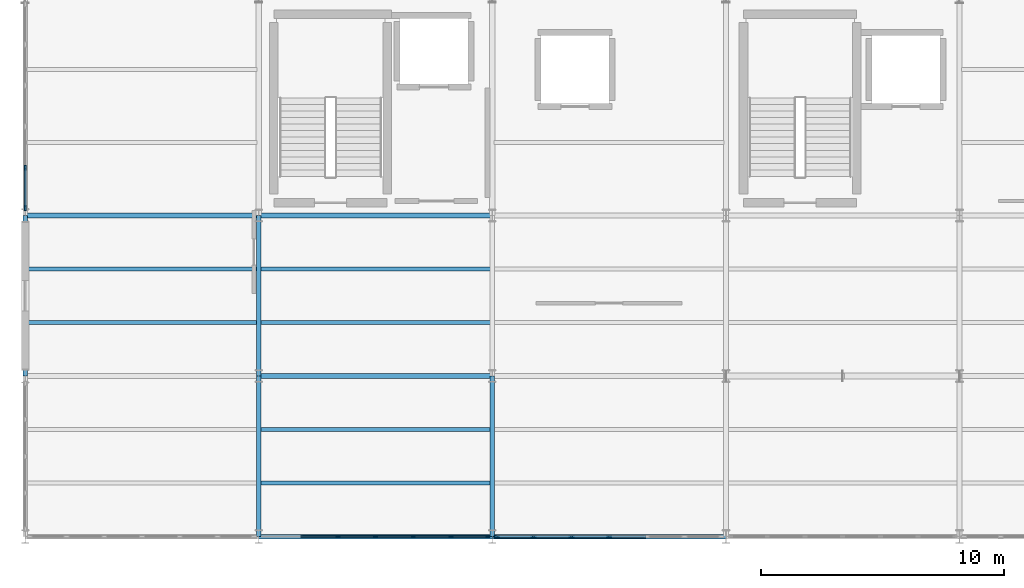
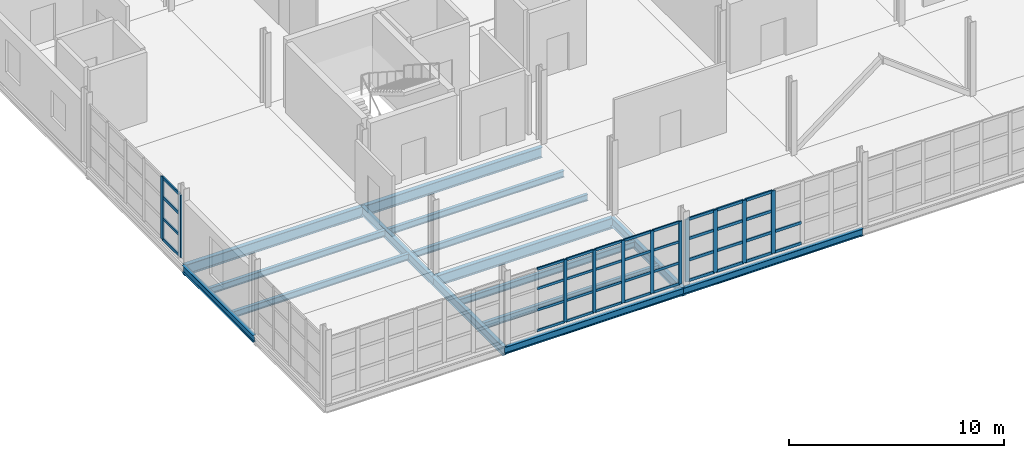
# One storey, part 13 of 82: 49 members, 15 beams, 3 elements without a shape of their own.
"""IFC4 building model written with IfcOpenShell, lengths in metres."""

import ifcopenshell
import ifcopenshell.guid

model = None  # the IFC model being written
_history = None  # IfcOwnerHistory: only IFC2X3 demands one
_inside = {}  # id of a spatial element -> (the spatial element, [elements in it])
_under = {}  # id of a project, library or spatial element -> (it, [spatial elements below it])
_declared = {}  # id of a project -> (the project, [libraries it declares])
_typed = {}  # id of a type object -> (the type object, [elements of that type])
_made_of = {}  # id of a material, layer set ... -> (it, [elements and type objects made of it])


def new_model(schema):
    """Start an empty IFC model of exactly this schema.

    Asked for "IFC4X3", IfcOpenShell would pick the latest addendum, in which some entities
    have other attributes; the version numbers below select the first issue.
    IFC2X3 requires an IfcOwnerHistory on every rooted entity: one is made here for all.
    """
    global model, _history
    if schema == "IFC4X3":
        model = ifcopenshell.file(schema_version=(4, 3, 0, 0))
    else:
        model = ifcopenshell.file(schema=schema)
    _inside.clear()
    _under.clear()
    _declared.clear()
    _typed.clear()
    _made_of.clear()
    _history = None
    if model.schema == "IFC2X3":
        org = make("IfcOrganization", Name="unknown")
        user = make(
            "IfcPersonAndOrganization",
            ThePerson=make("IfcPerson", FamilyName="unknown"),
            TheOrganization=org,
        )
        app = make(
            "IfcApplication",
            ApplicationDeveloper=org,
            Version="unknown",
            ApplicationFullName="unknown",
            ApplicationIdentifier="unknown",
        )
        _history = make(
            "IfcOwnerHistory",
            OwningUser=user,
            OwningApplication=app,
            ChangeAction="ADDED",
            CreationDate=0,
        )
    return model


def make(cls, **values):
    """One entity of the class cls with the attributes given. An attribute that is None is left unset."""
    return model.create_entity(
        cls, **{name: value for name, value in values.items() if value is not None}
    )


def rooted(cls, **values):
    """An entity with a GlobalId (a new one), such as an element, a storey or a relation."""
    return make(cls, GlobalId=ifcopenshell.guid.new(), OwnerHistory=_history, **values)


def si_unit(unit_type, name, prefix=None):
    """IfcSIUnit, for example si_unit("LENGTHUNIT", "METRE", prefix="MILLI")."""
    return make("IfcSIUnit", UnitType=unit_type, Prefix=prefix, Name=name)


def assignment(units):
    """IfcUnitAssignment: the units of a project."""
    return None if units is None else make("IfcUnitAssignment", Units=units)


def point(xyz):
    """IfcCartesianPoint."""
    return None if xyz is None else make("IfcCartesianPoint", Coordinates=xyz)


def direction(xyz):
    """IfcDirection."""
    return None if xyz is None else make("IfcDirection", DirectionRatios=xyz)


def frame(location, z_axis=None, x_axis=None):
    """IfcAxis2Placement3D, a coordinate frame: its origin and axes. An axis left out is left unset."""
    return make(
        "IfcAxis2Placement3D",
        Location=point(location),
        Axis=direction(z_axis),
        RefDirection=direction(x_axis),
    )


def frame_2d(location, x_axis=None):
    """IfcAxis2Placement2D, a coordinate frame in the plane: its origin and x axis."""
    return make(
        "IfcAxis2Placement2D", Location=point(location), RefDirection=direction(x_axis)
    )


def origin():
    """The frame at (0, 0, 0) with its axes left unset."""
    return frame((0.0, 0.0, 0.0))


def origin_2d():
    """The frame at (0, 0) in the plane with its x axis left unset."""
    return frame_2d((0.0, 0.0))


def place(relative_to, where):
    """IfcLocalPlacement: puts the frame where relative to a parent placement (None: the world)."""
    return make(
        "IfcLocalPlacement", PlacementRelTo=relative_to, RelativePlacement=where
    )


def context(
    kind, dimensions, precision=None, world=None, true_north=None, identifier=None
):
    """IfcGeometricRepresentationContext, for example the 3D "Model" context."""
    return make(
        "IfcGeometricRepresentationContext",
        ContextIdentifier=identifier,
        ContextType=kind,
        CoordinateSpaceDimension=dimensions,
        Precision=precision,
        WorldCoordinateSystem=world,
        TrueNorth=true_north,
    )


def subcontext(parent, identifier, kind, view, scale=None):
    """IfcGeometricRepresentationSubContext, for example "Body" below "Model"."""
    return make(
        "IfcGeometricRepresentationSubContext",
        ContextIdentifier=identifier,
        ContextType=kind,
        ParentContext=parent,
        TargetScale=scale,
        TargetView=view,
    )


def project(units=None, contexts=None):
    """IfcProject with its units and contexts."""
    return rooted(
        "IfcProject",
        Name="project",
        RepresentationContexts=contexts,
        UnitsInContext=assignment(units),
    )


def spatial(cls, under=None, at=None, **own):
    """A site, building, storey or space (cls), placed at a placement, below another one or the project."""
    s = rooted(cls, ObjectPlacement=at, **own)
    if under is not None:
        _under.setdefault(under.id(), (under, []))[1].append(s)
    return s


def profile(cls, at=None, kind="AREA", **sizes):
    """A parametric profile (cls). Its sizes go by their IFC names, for example OverallWidth=200.0."""
    return make(cls, ProfileType=kind, Position=at, **sizes)


def rectangle(**sizes):
    """IfcRectangleProfileDef."""
    return profile("IfcRectangleProfileDef", **sizes)


def i_section(**sizes):
    """IfcIShapeProfileDef."""
    return profile("IfcIShapeProfileDef", **sizes)


def extrude(swept, where, along, depth):
    """IfcExtrudedAreaSolid: the profile swept, set in the frame where, extruded along a direction by depth."""
    return make(
        "IfcExtrudedAreaSolid",
        SweptArea=swept,
        Position=where,
        ExtrudedDirection=direction(along),
        Depth=depth,
    )


def shape(context_of_items, identifier, shape_type, items):
    """IfcShapeRepresentation: the items that make up one representation, for example the "Body"."""
    return make(
        "IfcShapeRepresentation",
        ContextOfItems=context_of_items,
        RepresentationIdentifier=identifier,
        RepresentationType=shape_type,
        Items=items,
    )


def material(Name=None, Category=None):
    """IfcMaterial."""
    return make("IfcMaterial", Name=Name, Category=Category)


def layer(
    of_material, thickness, ventilated=None, Name=None, Category=None, Priority=None
):
    """IfcMaterialLayer: one layer of a wall or slab, of a material (None: an air gap)."""
    return make(
        "IfcMaterialLayer",
        Material=of_material,
        LayerThickness=thickness,
        IsVentilated=ventilated,
        Name=Name,
        Category=Category,
        Priority=Priority,
    )


def layer_set(layers, Name=None):
    """IfcMaterialLayerSet."""
    return make("IfcMaterialLayerSet", MaterialLayers=layers, LayerSetName=Name)


def material_profile(
    of_material, cross_section, Name=None, Category=None, Priority=None
):
    """IfcMaterialProfile: a cross section and its material."""
    return make(
        "IfcMaterialProfile",
        Name=Name,
        Material=of_material,
        Profile=cross_section,
        Priority=Priority,
        Category=Category,
    )


def profile_set(profiles, Name=None, composite=None):
    """IfcMaterialProfileSet."""
    return make(
        "IfcMaterialProfileSet",
        Name=Name,
        MaterialProfiles=profiles,
        CompositeProfile=composite,
    )


def made_of(thing, what):
    """Note that an element or type object is made of a material, layer set ...; save() writes the relation."""
    if what is not None:
        _made_of.setdefault(what.id(), (what, []))[1].append(thing)
    return thing


def type_object(cls, material=None, **own):
    """A type object (cls), such as IfcWallType, which elements share."""
    return made_of(rooted(cls, **own), material)


def element(
    cls,
    number,
    at=None,
    inside=None,
    cuts=None,
    type_object=None,
    material=None,
    context=None,
    identifier="Body",
    shape_type=None,
    held_by="IfcProductDefinitionShape",
    body=None,
    shapes=None,
    **own,
):
    """One element of the class cls, such as IfcWall. Its Tag is "e" and its number.

    at: its placement. inside: the storey or other place that contains it. cuts: it is an
    opening in that element (IfcRelVoidsElement). A single representation is given by context,
    identifier, shape_type and body (its items); several are given by shapes. held_by: the class
    of the entity that holds the representations. save() writes the other relations.
    """
    e = rooted(cls, Tag="e%d" % number, ObjectPlacement=at, **own)
    if body is not None:
        shapes = [shape(context, identifier, shape_type, body)]
    if shapes is not None:
        e.Representation = make(held_by, Representations=shapes)
    if inside is not None:
        _inside.setdefault(inside.id(), (inside, []))[1].append(e)
    if cuts is not None:
        rooted(
            "IfcRelVoidsElement", RelatingBuildingElement=cuts, RelatedOpeningElement=e
        )
    if type_object is not None:
        _typed.setdefault(type_object.id(), (type_object, []))[1].append(e)
    return made_of(e, material)


def aggregate(whole, parts):
    """IfcRelAggregates: a whole, such as a stair, and the parts it consists of."""
    return rooted("IfcRelAggregates", RelatingObject=whole, RelatedObjects=parts)


def save(model, path):
    """Write the relations noted so far, then the file.

    IfcRelAggregates (storeys below a building ...), IfcRelContainedInSpatialStructure (elements
    in a storey), IfcRelDefinesByType, IfcRelAssociatesMaterial and IfcRelDeclares: one each for
    every whole, place, type object, material and project.
    """
    for whole, parts in _under.values():
        aggregate(whole, parts)
    for where, things in _inside.values():
        rooted(
            "IfcRelContainedInSpatialStructure",
            RelatedElements=things,
            RelatingStructure=where,
        )
    for kind, things in _typed.values():
        rooted("IfcRelDefinesByType", RelatedObjects=things, RelatingType=kind)
    for what, things in _made_of.values():
        rooted("IfcRelAssociatesMaterial", RelatedObjects=things, RelatingMaterial=what)
    for by, libraries in _declared.values():
        rooted("IfcRelDeclares", RelatingContext=by, RelatedDefinitions=libraries)
    model.write(path)


model = new_model("IFC4")

# Units and contexts
model_context = context("Model", 3, precision=1e-05, world=origin(), true_north=direction((0.0, 1.0)))
body_context = subcontext(model_context, "Body", "Model", "MODEL_VIEW")
ifc_project = project(units=[si_unit("LENGTHUNIT", "METRE"), si_unit("AREAUNIT", "SQUARE_METRE"), si_unit("VOLUMEUNIT", "CUBIC_METRE"), si_unit("PLANEANGLEUNIT", "RADIAN"), si_unit("MASSUNIT", "GRAM", prefix="KILO")], contexts=[model_context])

# Site, building, storey
site_placement = place(None, origin())
site = spatial("IfcSite", under=ifc_project, at=site_placement, CompositionType="ELEMENT")
building_placement = place(site_placement, origin())
building = spatial("IfcBuilding", under=site, at=building_placement, Name="Zarnetskaya Central Station", CompositionType="ELEMENT")
storey_placement = place(building_placement, frame((0.0, 0.0, 10.199951171875)))
storey = spatial("IfcBuildingStorey", under=building, at=storey_placement, Name="L02", CompositionType="ELEMENT", Elevation=10.199951171875)

# Beams
ifc_material_1 = material(Name="Steel S355", Category="steel")
ifc_material_profile_1 = material_profile(ifc_material_1, i_section(OverallWidth=0.169921875, OverallDepth=0.360107421875, WebThickness=0.008056640625, FlangeThickness=0.0126953125, FilletRadius=0.01806640625, at=origin_2d()), Name="IPE 360")
ifc_profile_set_1 = profile_set([ifc_material_profile_1], Name="Steel S355")
beam_type_1 = type_object("IfcBeamType", Name="BM-SEC-360", PredefinedType="BEAM", material=ifc_profile_set_1)
for number, where, z_axis, x_axis, name in (
    (1, (0.080078125, 8.800048828125, -0.43994140625), (1.0, 0.0, 0.0), (0.0, 1.0, 0.0), "Secondary floor beam SEC-L02-Z994-AB-23-1"),
    (2, (0.080078125, 11.0, -0.43994140625), (1.0, 0.0, 0.0), (0.0, 1.0, 0.0), "Secondary floor beam SEC-L02-Z994-AB-23-2"),
):
    element("IfcBeam", number, at=place(storey_placement, frame(where, z_axis=z_axis, x_axis=x_axis)), inside=storey, type_object=beam_type_1, Name=name, PredefinedType="BEAM", context=body_context, shape_type="SweptSolid", body=[
        extrude(i_section(OverallWidth=0.169921875, OverallDepth=0.360107421875, WebThickness=0.008056640625, FlangeThickness=0.0126953125, FilletRadius=0.01806640625, at=origin_2d()), origin(), (0.0, 0.0, 1.0), 9.43994140625),
    ])
for number, where, z_axis, x_axis, name in (
    (3, (9.679931640625, 2.199951171875, -0.43994140625), (1.0, 0.0, 0.0), (0.0, 1.0, 0.0), "Secondary floor beam SEC-L02-Z994-BC-12-1"),
    (4, (9.679931640625, 4.39990234375, -0.43994140625), (1.0, 0.0, 0.0), (0.0, 1.0, 0.0), "Secondary floor beam SEC-L02-Z994-BC-12-2"),
    (5, (9.679931640625, 8.800048828125, -0.43994140625), (1.0, 0.0, 0.0), (0.0, 1.0, 0.0), "Secondary floor beam SEC-L02-Z994-BC-23-1"),
    (6, (9.679931640625, 11.0, -0.43994140625), (1.0, 0.0, 0.0), (0.0, 1.0, 0.0), "Secondary floor beam SEC-L02-Z994-BC-23-2"),
):
    element("IfcBeam", number, at=place(storey_placement, frame(where, z_axis=z_axis, x_axis=x_axis)), inside=storey, type_object=beam_type_1, Name=name, PredefinedType="BEAM", context=body_context, shape_type="SweptSolid", body=[
        extrude(i_section(OverallWidth=0.169921875, OverallDepth=0.360107421875, WebThickness=0.008056640625, FlangeThickness=0.0126953125, FilletRadius=0.01806640625, at=origin_2d()), origin(), (0.0, 0.0, 1.0), 9.440185546875),
    ])
ifc_material_profile_2 = material_profile(ifc_material_1, i_section(OverallWidth=0.179931640625, OverallDepth=0.39990234375, WebThickness=0.008544921875, FlangeThickness=0.013427734375, FilletRadius=0.02099609375, at=origin_2d()), Name="IPE 400")
ifc_profile_set_2 = profile_set([ifc_material_profile_2], Name="Steel S355")
beam_type_2 = type_object("IfcBeamType", Name="BM-SPN-V5", PredefinedType="SPANDREL", material=ifc_profile_set_2)
beam_1_placement = place(storey_placement, frame((0.0, 6.60009765625, -0.4599609375), z_axis=(0.0, 1.0, 0.0), x_axis=(-1.0, 0.0, 0.0)))
element("IfcBeam", 7, at=beam_1_placement, inside=storey, type_object=beam_type_2, Name="Grid girder GY-L02-A-23", PredefinedType="SPANDREL", context=body_context, shape_type="SweptSolid", body=[
    extrude(i_section(OverallWidth=0.179931640625, OverallDepth=0.39990234375, WebThickness=0.008544921875, FlangeThickness=0.013427734375, FilletRadius=0.02099609375, at=origin_2d()), origin(), (0.0, 0.0, 1.0), 6.599853515625),
])
beam_2_placement = place(storey_placement, frame((9.60009765625, 0.0, -0.4599609375), z_axis=(1.0, 0.0, 0.0), x_axis=(0.0, 1.0, 0.0)))
element("IfcBeam", 8, at=beam_2_placement, inside=storey, type_object=beam_type_2, Name="Grid girder GX-L02-1-BC", PredefinedType="SPANDREL", context=body_context, shape_type="SweptSolid", body=[
    extrude(i_section(OverallWidth=0.179931640625, OverallDepth=0.39990234375, WebThickness=0.008544921875, FlangeThickness=0.013427734375, FilletRadius=0.02099609375, at=origin_2d()), origin(), (0.0, 0.0, 1.0), 9.599853515625),
])
beam_3_placement = place(storey_placement, frame((19.199951171875, 0.0, -0.4599609375), z_axis=(1.0, 0.0, 0.0), x_axis=(0.0, 1.0, 0.0)))
element("IfcBeam", 9, at=beam_3_placement, inside=storey, type_object=beam_type_2, Name="Grid girder GX-L02-1-CD", PredefinedType="SPANDREL", context=body_context, shape_type="SweptSolid", body=[
    extrude(i_section(OverallWidth=0.179931640625, OverallDepth=0.39990234375, WebThickness=0.008544921875, FlangeThickness=0.013427734375, FilletRadius=0.02099609375, at=origin_2d()), origin(), (0.0, 0.0, 1.0), 9.60009765625),
])

# Curtain wall, members
ifc_material_2 = material(Name="Low-E insulated glass", Category="glass")
ifc_layer_1 = layer(ifc_material_2, 0.1640625, Name="Low-E insulated glass", Category="glass")
ifc_layer_set_1 = layer_set([ifc_layer_1], Name="Low-E insulated glass")
curtain_wall_type_1 = type_object("IfcCurtainWallType", Name="CW-SYS-07", PredefinedType="USERDEFINED", material=ifc_layer_set_1)
curtain_wall_1_placement = place(storey_placement, origin())
curtain_wall_1 = element("IfcCurtainWall", 10, at=curtain_wall_1_placement, inside=storey, type_object=curtain_wall_type_1, Name="Curtain wall CW-L02-029", ObjectType="CURTAIN WALL", PredefinedType="USERDEFINED")
ifc_material_3 = material(Name="Anodised aluminium", Category="aluminium")
ifc_material_profile_3 = material_profile(ifc_material_3, rectangle(XDim=0.070068359375, YDim=0.179931640625, at=origin_2d()), Name="ALU MULL 70x180")
ifc_profile_set_3 = profile_set([ifc_material_profile_3], Name="Anodised aluminium")
member_type_1 = type_object("IfcMemberType", Name="CW-MULL-180", PredefinedType="MULLION", material=ifc_profile_set_3)
member_1_placement = place(storey_placement, frame((19.014892578125, 0.0, 0.0), z_axis=(0.0, 0.0, 1.0), x_axis=(0.0, -1.0, 0.0)))
member_1 = element("IfcMember", 11, at=member_1_placement, type_object=member_type_1, Name="CW-06 mullion 1", PredefinedType="MULLION", context=body_context, shape_type="SweptSolid", body=[
    extrude(rectangle(XDim=0.070068359375, YDim=0.179931640625, at=origin_2d()), origin(), (0.0, 0.0, 1.0), 3.550048828125),
])
member_2_placement = place(storey_placement, frame((17.5, 0.0, 0.0), z_axis=(0.0, 0.0, 1.0), x_axis=(0.0, -1.0, 0.0)))
member_2 = element("IfcMember", 12, at=member_2_placement, type_object=member_type_1, Name="CW-06 mullion 2", PredefinedType="MULLION", context=body_context, shape_type="SweptSolid", body=[
    extrude(rectangle(XDim=0.070068359375, YDim=0.179931640625, at=origin_2d()), origin(), (0.0, 0.0, 1.0), 3.550048828125),
])
member_3_placement = place(storey_placement, frame((15.949951171875, 0.0, 0.0), z_axis=(0.0, 0.0, 1.0), x_axis=(0.0, -1.0, 0.0)))
member_3 = element("IfcMember", 13, at=member_3_placement, type_object=member_type_1, Name="CW-06 mullion 3", PredefinedType="MULLION", context=body_context, shape_type="SweptSolid", body=[
    extrude(rectangle(XDim=0.070068359375, YDim=0.179931640625, at=origin_2d()), origin(), (0.0, 0.0, 1.0), 3.550048828125),
])
member_4_placement = place(storey_placement, frame((14.39990234375, 0.0, 0.0), z_axis=(0.0, 0.0, 1.0), x_axis=(0.0, -1.0, 0.0)))
member_4 = element("IfcMember", 14, at=member_4_placement, type_object=member_type_1, Name="CW-06 mullion 4", PredefinedType="MULLION", context=body_context, shape_type="SweptSolid", body=[
    extrude(rectangle(XDim=0.070068359375, YDim=0.179931640625, at=origin_2d()), origin(), (0.0, 0.0, 1.0), 3.550048828125),
])
member_5_placement = place(storey_placement, frame((12.85009765625, 0.0, 0.0), z_axis=(0.0, 0.0, 1.0), x_axis=(0.0, -1.0, 0.0)))
member_5 = element("IfcMember", 15, at=member_5_placement, type_object=member_type_1, Name="CW-06 mullion 5", PredefinedType="MULLION", context=body_context, shape_type="SweptSolid", body=[
    extrude(rectangle(XDim=0.070068359375, YDim=0.179931640625, at=origin_2d()), origin(), (0.0, 0.0, 1.0), 3.550048828125),
])

ifc_layer_2 = layer(ifc_material_2, 0.159912109375, Name="Low-E insulated glass", Category="glass")
ifc_layer_set_2 = layer_set([ifc_layer_2], Name="Low-E insulated glass")
curtain_wall_type_2 = type_object("IfcCurtainWallType", Name="CW-SYS-06", PredefinedType="USERDEFINED", material=ifc_layer_set_2)
curtain_wall_2_placement = place(storey_placement, origin())
curtain_wall_2 = element("IfcCurtainWall", 16, at=curtain_wall_2_placement, inside=storey, type_object=curtain_wall_type_2, Name="Curtain wall CW-L02-016", ObjectType="CURTAIN WALL", PredefinedType="USERDEFINED")
ifc_material_profile_4 = material_profile(ifc_material_3, rectangle(XDim=0.080078125, YDim=0.219970703125, at=origin_2d()), Name="ALU MULL 80x220")
ifc_profile_set_4 = profile_set([ifc_material_profile_4], Name="Anodised aluminium")
member_type_2 = type_object("IfcMemberType", Name="CW-MULL-220", PredefinedType="MULLION", material=ifc_profile_set_4)
member_6_placement = place(storey_placement, frame((0.0, 13.514892578125, 0.0), z_axis=(0.0, 0.0, 1.0), x_axis=(-1.0, 0.0, 0.0)))
member_6 = element("IfcMember", 17, at=member_6_placement, type_object=member_type_2, Name="CW-02 mullion 1", PredefinedType="MULLION", context=body_context, shape_type="SweptSolid", body=[
    extrude(rectangle(XDim=0.080078125, YDim=0.219970703125, at=origin_2d()), origin(), (0.0, 0.0, 1.0), 3.550048828125),
])
member_7_placement = place(storey_placement, frame((0.0, 15.1650390625, 0.0), z_axis=(0.0, 0.0, 1.0), x_axis=(-1.0, 0.0, 0.0)))
member_7 = element("IfcMember", 18, at=member_7_placement, type_object=member_type_2, Name="CW-02 mullion 2", PredefinedType="MULLION", context=body_context, shape_type="SweptSolid", body=[
    extrude(rectangle(XDim=0.080078125, YDim=0.219970703125, at=origin_2d()), origin(), (0.0, 0.0, 1.0), 3.550048828125),
])

curtain_wall_3_placement = place(storey_placement, origin())
curtain_wall_3 = element("IfcCurtainWall", 19, at=curtain_wall_3_placement, inside=storey, type_object=curtain_wall_type_2, Name="Curtain wall CW-L02-028", ObjectType="CURTAIN WALL", PredefinedType="USERDEFINED")
member_8_placement = place(storey_placement, frame((24.0, 0.0, 0.0), z_axis=(0.0, 0.0, 1.0), x_axis=(0.0, -1.0, 0.0)))
member_8 = element("IfcMember", 20, at=member_8_placement, type_object=member_type_2, Name="CW-02 mullion 4", PredefinedType="MULLION", context=body_context, shape_type="SweptSolid", body=[
    extrude(rectangle(XDim=0.080078125, YDim=0.219970703125, at=origin_2d()), origin(), (0.0, 0.0, 1.0), 3.550048828125),
])
member_9_placement = place(storey_placement, frame((22.449951171875, 0.0, 0.0), z_axis=(0.0, 0.0, 1.0), x_axis=(0.0, -1.0, 0.0)))
member_9 = element("IfcMember", 21, at=member_9_placement, type_object=member_type_2, Name="CW-02 mullion 5", PredefinedType="MULLION", context=body_context, shape_type="SweptSolid", body=[
    extrude(rectangle(XDim=0.080078125, YDim=0.219970703125, at=origin_2d()), origin(), (0.0, 0.0, 1.0), 3.550048828125),
])
member_10_placement = place(storey_placement, frame((20.89990234375, 0.0, 0.0), z_axis=(0.0, 0.0, 1.0), x_axis=(0.0, -1.0, 0.0)))
member_10 = element("IfcMember", 22, at=member_10_placement, type_object=member_type_2, Name="CW-02 mullion 6", PredefinedType="MULLION", context=body_context, shape_type="SweptSolid", body=[
    extrude(rectangle(XDim=0.080078125, YDim=0.219970703125, at=origin_2d()), origin(), (0.0, 0.0, 1.0), 3.550048828125),
])
member_11_placement = place(storey_placement, frame((19.389892578125, 0.0, 0.0), z_axis=(0.0, 0.0, 1.0), x_axis=(0.0, -1.0, 0.0)))
member_11 = element("IfcMember", 23, at=member_11_placement, type_object=member_type_2, Name="CW-02 mullion 7", PredefinedType="MULLION", context=body_context, shape_type="SweptSolid", body=[
    extrude(rectangle(XDim=0.080078125, YDim=0.219970703125, at=origin_2d()), origin(), (0.0, 0.0, 1.0), 3.550048828125),
])

# Member
ifc_material_profile_5 = material_profile(ifc_material_3, rectangle(XDim=0.070068359375, YDim=0.139892578125, at=origin_2d()), Name="ALU TRAN 70x140")
ifc_profile_set_5 = profile_set([ifc_material_profile_5], Name="Anodised aluminium")
member_type_3 = type_object("IfcMemberType", Name="CW-TRAN-140", PredefinedType="USERDEFINED", material=ifc_profile_set_5)
member_12_placement = place(storey_placement, frame((18.97998046875, 0.0, 0.03515625), z_axis=(-1.0, 0.0, 0.0), x_axis=(0.0, -1.0, 0.0)))
member_12 = element("IfcMember", 24, at=member_12_placement, type_object=member_type_3, Name="CW-06 transom 1.1", ObjectType="TRANSOM", PredefinedType="USERDEFINED", context=body_context, shape_type="SweptSolid", body=[
    extrude(rectangle(XDim=0.070068359375, YDim=0.139892578125, at=origin_2d()), origin(), (0.0, 0.0, 1.0), 1.445068359375),
])

member_13_placement = place(storey_placement, frame((18.97998046875, 0.0, 1.20703125), z_axis=(-1.0, 0.0, 0.0), x_axis=(0.0, -1.0, 0.0)))
member_13 = element("IfcMember", 25, at=member_13_placement, type_object=member_type_3, Name="CW-06 transom 1.2", ObjectType="TRANSOM", PredefinedType="USERDEFINED", context=body_context, shape_type="SweptSolid", body=[
    extrude(rectangle(XDim=0.070068359375, YDim=0.139892578125, at=origin_2d()), origin(), (0.0, 0.0, 1.0), 1.445068359375),
])

member_14_placement = place(storey_placement, frame((18.97998046875, 0.0, 2.4140625), z_axis=(-1.0, 0.0, 0.0), x_axis=(0.0, -1.0, 0.0)))
member_14 = element("IfcMember", 26, at=member_14_placement, type_object=member_type_3, Name="CW-06 transom 1.3", ObjectType="TRANSOM", PredefinedType="USERDEFINED", context=body_context, shape_type="SweptSolid", body=[
    extrude(rectangle(XDim=0.070068359375, YDim=0.139892578125, at=origin_2d()), origin(), (0.0, 0.0, 1.0), 1.445068359375),
])

member_15_placement = place(storey_placement, frame((18.97998046875, 0.0, 3.51513671875), z_axis=(-1.0, 0.0, 0.0), x_axis=(0.0, -1.0, 0.0)))
member_15 = element("IfcMember", 27, at=member_15_placement, type_object=member_type_3, Name="CW-06 transom 1.4", ObjectType="TRANSOM", PredefinedType="USERDEFINED", context=body_context, shape_type="SweptSolid", body=[
    extrude(rectangle(XDim=0.070068359375, YDim=0.139892578125, at=origin_2d()), origin(), (0.0, 0.0, 1.0), 1.445068359375),
])

member_16_placement = place(storey_placement, frame((17.465087890625, 0.0, 0.03515625), z_axis=(-1.0, 0.0, 0.0), x_axis=(0.0, -1.0, 0.0)))
member_16 = element("IfcMember", 28, at=member_16_placement, type_object=member_type_3, Name="CW-06 transom 2.1", ObjectType="TRANSOM", PredefinedType="USERDEFINED", context=body_context, shape_type="SweptSolid", body=[
    extrude(rectangle(XDim=0.070068359375, YDim=0.139892578125, at=origin_2d()), origin(), (0.0, 0.0, 1.0), 1.47998046875),
])

member_17_placement = place(storey_placement, frame((17.465087890625, 0.0, 1.20703125), z_axis=(-1.0, 0.0, 0.0), x_axis=(0.0, -1.0, 0.0)))
member_17 = element("IfcMember", 29, at=member_17_placement, type_object=member_type_3, Name="CW-06 transom 2.2", ObjectType="TRANSOM", PredefinedType="USERDEFINED", context=body_context, shape_type="SweptSolid", body=[
    extrude(rectangle(XDim=0.070068359375, YDim=0.139892578125, at=origin_2d()), origin(), (0.0, 0.0, 1.0), 1.47998046875),
])

member_18_placement = place(storey_placement, frame((17.465087890625, 0.0, 2.4140625), z_axis=(-1.0, 0.0, 0.0), x_axis=(0.0, -1.0, 0.0)))
member_18 = element("IfcMember", 30, at=member_18_placement, type_object=member_type_3, Name="CW-06 transom 2.3", ObjectType="TRANSOM", PredefinedType="USERDEFINED", context=body_context, shape_type="SweptSolid", body=[
    extrude(rectangle(XDim=0.070068359375, YDim=0.139892578125, at=origin_2d()), origin(), (0.0, 0.0, 1.0), 1.47998046875),
])

member_19_placement = place(storey_placement, frame((17.465087890625, 0.0, 3.51513671875), z_axis=(-1.0, 0.0, 0.0), x_axis=(0.0, -1.0, 0.0)))
member_19 = element("IfcMember", 31, at=member_19_placement, type_object=member_type_3, Name="CW-06 transom 2.4", ObjectType="TRANSOM", PredefinedType="USERDEFINED", context=body_context, shape_type="SweptSolid", body=[
    extrude(rectangle(XDim=0.070068359375, YDim=0.139892578125, at=origin_2d()), origin(), (0.0, 0.0, 1.0), 1.47998046875),
])

member_20_placement = place(storey_placement, frame((15.9150390625, 0.0, 0.03515625), z_axis=(-1.0, 0.0, 0.0), x_axis=(0.0, -1.0, 0.0)))
member_20 = element("IfcMember", 32, at=member_20_placement, type_object=member_type_3, Name="CW-06 transom 3.1", ObjectType="TRANSOM", PredefinedType="USERDEFINED", context=body_context, shape_type="SweptSolid", body=[
    extrude(rectangle(XDim=0.070068359375, YDim=0.139892578125, at=origin_2d()), origin(), (0.0, 0.0, 1.0), 1.47998046875),
])

member_21_placement = place(storey_placement, frame((15.9150390625, 0.0, 1.20703125), z_axis=(-1.0, 0.0, 0.0), x_axis=(0.0, -1.0, 0.0)))
member_21 = element("IfcMember", 33, at=member_21_placement, type_object=member_type_3, Name="CW-06 transom 3.2", ObjectType="TRANSOM", PredefinedType="USERDEFINED", context=body_context, shape_type="SweptSolid", body=[
    extrude(rectangle(XDim=0.070068359375, YDim=0.139892578125, at=origin_2d()), origin(), (0.0, 0.0, 1.0), 1.47998046875),
])

member_22_placement = place(storey_placement, frame((15.9150390625, 0.0, 2.4140625), z_axis=(-1.0, 0.0, 0.0), x_axis=(0.0, -1.0, 0.0)))
member_22 = element("IfcMember", 34, at=member_22_placement, type_object=member_type_3, Name="CW-06 transom 3.3", ObjectType="TRANSOM", PredefinedType="USERDEFINED", context=body_context, shape_type="SweptSolid", body=[
    extrude(rectangle(XDim=0.070068359375, YDim=0.139892578125, at=origin_2d()), origin(), (0.0, 0.0, 1.0), 1.47998046875),
])

member_23_placement = place(storey_placement, frame((15.9150390625, 0.0, 3.51513671875), z_axis=(-1.0, 0.0, 0.0), x_axis=(0.0, -1.0, 0.0)))
member_23 = element("IfcMember", 35, at=member_23_placement, type_object=member_type_3, Name="CW-06 transom 3.4", ObjectType="TRANSOM", PredefinedType="USERDEFINED", context=body_context, shape_type="SweptSolid", body=[
    extrude(rectangle(XDim=0.070068359375, YDim=0.139892578125, at=origin_2d()), origin(), (0.0, 0.0, 1.0), 1.47998046875),
])

member_24_placement = place(storey_placement, frame((14.364990234375, 0.0, 0.03515625), z_axis=(-1.0, 0.0, 0.0), x_axis=(0.0, -1.0, 0.0)))
member_24 = element("IfcMember", 36, at=member_24_placement, type_object=member_type_3, Name="CW-06 transom 4.1", ObjectType="TRANSOM", PredefinedType="USERDEFINED", context=body_context, shape_type="SweptSolid", body=[
    extrude(rectangle(XDim=0.070068359375, YDim=0.139892578125, at=origin_2d()), origin(), (0.0, 0.0, 1.0), 1.47998046875),
])

member_25_placement = place(storey_placement, frame((14.364990234375, 0.0, 1.20703125), z_axis=(-1.0, 0.0, 0.0), x_axis=(0.0, -1.0, 0.0)))
member_25 = element("IfcMember", 37, at=member_25_placement, type_object=member_type_3, Name="CW-06 transom 4.2", ObjectType="TRANSOM", PredefinedType="USERDEFINED", context=body_context, shape_type="SweptSolid", body=[
    extrude(rectangle(XDim=0.070068359375, YDim=0.139892578125, at=origin_2d()), origin(), (0.0, 0.0, 1.0), 1.47998046875),
])

member_26_placement = place(storey_placement, frame((14.364990234375, 0.0, 2.4140625), z_axis=(-1.0, 0.0, 0.0), x_axis=(0.0, -1.0, 0.0)))
member_26 = element("IfcMember", 38, at=member_26_placement, type_object=member_type_3, Name="CW-06 transom 4.3", ObjectType="TRANSOM", PredefinedType="USERDEFINED", context=body_context, shape_type="SweptSolid", body=[
    extrude(rectangle(XDim=0.070068359375, YDim=0.139892578125, at=origin_2d()), origin(), (0.0, 0.0, 1.0), 1.47998046875),
])

member_27_placement = place(storey_placement, frame((14.364990234375, 0.0, 3.51513671875), z_axis=(-1.0, 0.0, 0.0), x_axis=(0.0, -1.0, 0.0)))
member_27 = element("IfcMember", 39, at=member_27_placement, type_object=member_type_3, Name="CW-06 transom 4.4", ObjectType="TRANSOM", PredefinedType="USERDEFINED", context=body_context, shape_type="SweptSolid", body=[
    extrude(rectangle(XDim=0.070068359375, YDim=0.139892578125, at=origin_2d()), origin(), (0.0, 0.0, 1.0), 1.47998046875),
])

member_28_placement = place(storey_placement, frame((12.81494140625, 0.0, 0.03515625), z_axis=(-1.0, 0.0, 0.0), x_axis=(0.0, -1.0, 0.0)))
member_28 = element("IfcMember", 40, at=member_28_placement, type_object=member_type_3, Name="CW-06 transom 5.1", ObjectType="TRANSOM", PredefinedType="USERDEFINED", context=body_context, shape_type="SweptSolid", body=[
    extrude(rectangle(XDim=0.070068359375, YDim=0.139892578125, at=origin_2d()), origin(), (0.0, 0.0, 1.0), 1.47998046875),
])

member_29_placement = place(storey_placement, frame((12.81494140625, 0.0, 1.20703125), z_axis=(-1.0, 0.0, 0.0), x_axis=(0.0, -1.0, 0.0)))
member_29 = element("IfcMember", 41, at=member_29_placement, type_object=member_type_3, Name="CW-06 transom 5.2", ObjectType="TRANSOM", PredefinedType="USERDEFINED", context=body_context, shape_type="SweptSolid", body=[
    extrude(rectangle(XDim=0.070068359375, YDim=0.139892578125, at=origin_2d()), origin(), (0.0, 0.0, 1.0), 1.47998046875),
])

member_30_placement = place(storey_placement, frame((12.81494140625, 0.0, 2.4140625), z_axis=(-1.0, 0.0, 0.0), x_axis=(0.0, -1.0, 0.0)))
member_30 = element("IfcMember", 42, at=member_30_placement, type_object=member_type_3, Name="CW-06 transom 5.3", ObjectType="TRANSOM", PredefinedType="USERDEFINED", context=body_context, shape_type="SweptSolid", body=[
    extrude(rectangle(XDim=0.070068359375, YDim=0.139892578125, at=origin_2d()), origin(), (0.0, 0.0, 1.0), 1.47998046875),
])

member_31_placement = place(storey_placement, frame((12.81494140625, 0.0, 3.51513671875), z_axis=(-1.0, 0.0, 0.0), x_axis=(0.0, -1.0, 0.0)))
member_31 = element("IfcMember", 43, at=member_31_placement, type_object=member_type_3, Name="CW-06 transom 5.4", ObjectType="TRANSOM", PredefinedType="USERDEFINED", context=body_context, shape_type="SweptSolid", body=[
    extrude(rectangle(XDim=0.070068359375, YDim=0.139892578125, at=origin_2d()), origin(), (0.0, 0.0, 1.0), 1.47998046875),
])

aggregate(curtain_wall_1, [member_1, member_2, member_3, member_4, member_5, member_12, member_13, member_14, member_15, member_16, member_17, member_18, member_19, member_20, member_21, member_22, member_23, member_24, member_25, member_26, member_27, member_28, member_29, member_30, member_31])

ifc_material_profile_6 = material_profile(ifc_material_3, rectangle(XDim=0.080078125, YDim=0.159912109375, at=origin_2d()), Name="ALU TRAN 80x160")
ifc_profile_set_6 = profile_set([ifc_material_profile_6], Name="Anodised aluminium")
member_type_4 = type_object("IfcMemberType", Name="CW-TRAN-160", PredefinedType="USERDEFINED", material=ifc_profile_set_6)
member_32_placement = place(storey_placement, frame((0.0, 13.554931640625, 0.0400390625), z_axis=(0.0, 1.0, 0.0), x_axis=(-1.0, 0.0, 0.0)))
member_32 = element("IfcMember", 44, at=member_32_placement, type_object=member_type_4, Name="CW-02 transom 1.1", ObjectType="TRANSOM", PredefinedType="USERDEFINED", context=body_context, shape_type="SweptSolid", body=[
    extrude(rectangle(XDim=0.080078125, YDim=0.159912109375, at=origin_2d()), origin(), (0.0, 0.0, 1.0), 1.570068359375),
])

member_33_placement = place(storey_placement, frame((0.0, 13.554931640625, 1.20703125), z_axis=(0.0, 1.0, 0.0), x_axis=(-1.0, 0.0, 0.0)))
member_33 = element("IfcMember", 45, at=member_33_placement, type_object=member_type_4, Name="CW-02 transom 1.2", ObjectType="TRANSOM", PredefinedType="USERDEFINED", context=body_context, shape_type="SweptSolid", body=[
    extrude(rectangle(XDim=0.080078125, YDim=0.159912109375, at=origin_2d()), origin(), (0.0, 0.0, 1.0), 1.570068359375),
])

member_34_placement = place(storey_placement, frame((0.0, 13.554931640625, 2.4140625), z_axis=(0.0, 1.0, 0.0), x_axis=(-1.0, 0.0, 0.0)))
member_34 = element("IfcMember", 46, at=member_34_placement, type_object=member_type_4, Name="CW-02 transom 1.3", ObjectType="TRANSOM", PredefinedType="USERDEFINED", context=body_context, shape_type="SweptSolid", body=[
    extrude(rectangle(XDim=0.080078125, YDim=0.159912109375, at=origin_2d()), origin(), (0.0, 0.0, 1.0), 1.570068359375),
])

member_35_placement = place(storey_placement, frame((0.0, 13.554931640625, 3.510009765625), z_axis=(0.0, 1.0, 0.0), x_axis=(-1.0, 0.0, 0.0)))
member_35 = element("IfcMember", 47, at=member_35_placement, type_object=member_type_4, Name="CW-02 transom 1.4", ObjectType="TRANSOM", PredefinedType="USERDEFINED", context=body_context, shape_type="SweptSolid", body=[
    extrude(rectangle(XDim=0.080078125, YDim=0.159912109375, at=origin_2d()), origin(), (0.0, 0.0, 1.0), 1.570068359375),
])

aggregate(curtain_wall_2, [member_6, member_7, member_32, member_33, member_34, member_35])

member_36_placement = place(storey_placement, frame((25.510009765625, 0.0, 0.0400390625), z_axis=(-1.0, 0.0, 0.0), x_axis=(0.0, -1.0, 0.0)))
member_36 = element("IfcMember", 48, at=member_36_placement, type_object=member_type_4, Name="CW-02 transom 3.1", ObjectType="TRANSOM", PredefinedType="USERDEFINED", context=body_context, shape_type="SweptSolid", body=[
    extrude(rectangle(XDim=0.080078125, YDim=0.159912109375, at=origin_2d()), origin(), (0.0, 0.0, 1.0), 1.469970703125),
])

member_37_placement = place(storey_placement, frame((25.510009765625, 0.0, 1.20703125), z_axis=(-1.0, 0.0, 0.0), x_axis=(0.0, -1.0, 0.0)))
member_37 = element("IfcMember", 49, at=member_37_placement, type_object=member_type_4, Name="CW-02 transom 3.2", ObjectType="TRANSOM", PredefinedType="USERDEFINED", context=body_context, shape_type="SweptSolid", body=[
    extrude(rectangle(XDim=0.080078125, YDim=0.159912109375, at=origin_2d()), origin(), (0.0, 0.0, 1.0), 1.469970703125),
])

member_38_placement = place(storey_placement, frame((23.9599609375, 0.0, 0.0400390625), z_axis=(-1.0, 0.0, 0.0), x_axis=(0.0, -1.0, 0.0)))
member_38 = element("IfcMember", 50, at=member_38_placement, type_object=member_type_4, Name="CW-02 transom 4.1", ObjectType="TRANSOM", PredefinedType="USERDEFINED", context=body_context, shape_type="SweptSolid", body=[
    extrude(rectangle(XDim=0.080078125, YDim=0.159912109375, at=origin_2d()), origin(), (0.0, 0.0, 1.0), 1.469970703125),
])

member_39_placement = place(storey_placement, frame((23.9599609375, 0.0, 1.20703125), z_axis=(-1.0, 0.0, 0.0), x_axis=(0.0, -1.0, 0.0)))
member_39 = element("IfcMember", 51, at=member_39_placement, type_object=member_type_4, Name="CW-02 transom 4.2", ObjectType="TRANSOM", PredefinedType="USERDEFINED", context=body_context, shape_type="SweptSolid", body=[
    extrude(rectangle(XDim=0.080078125, YDim=0.159912109375, at=origin_2d()), origin(), (0.0, 0.0, 1.0), 1.469970703125),
])

member_40_placement = place(storey_placement, frame((23.9599609375, 0.0, 2.4140625), z_axis=(-1.0, 0.0, 0.0), x_axis=(0.0, -1.0, 0.0)))
member_40 = element("IfcMember", 52, at=member_40_placement, type_object=member_type_4, Name="CW-02 transom 4.3", ObjectType="TRANSOM", PredefinedType="USERDEFINED", context=body_context, shape_type="SweptSolid", body=[
    extrude(rectangle(XDim=0.080078125, YDim=0.159912109375, at=origin_2d()), origin(), (0.0, 0.0, 1.0), 1.469970703125),
])

member_41_placement = place(storey_placement, frame((23.9599609375, 0.0, 3.510009765625), z_axis=(-1.0, 0.0, 0.0), x_axis=(0.0, -1.0, 0.0)))
member_41 = element("IfcMember", 53, at=member_41_placement, type_object=member_type_4, Name="CW-02 transom 4.4", ObjectType="TRANSOM", PredefinedType="USERDEFINED", context=body_context, shape_type="SweptSolid", body=[
    extrude(rectangle(XDim=0.080078125, YDim=0.159912109375, at=origin_2d()), origin(), (0.0, 0.0, 1.0), 1.469970703125),
])

member_42_placement = place(storey_placement, frame((22.409912109375, 0.0, 0.0400390625), z_axis=(-1.0, 0.0, 0.0), x_axis=(0.0, -1.0, 0.0)))
member_42 = element("IfcMember", 54, at=member_42_placement, type_object=member_type_4, Name="CW-02 transom 5.1", ObjectType="TRANSOM", PredefinedType="USERDEFINED", context=body_context, shape_type="SweptSolid", body=[
    extrude(rectangle(XDim=0.080078125, YDim=0.159912109375, at=origin_2d()), origin(), (0.0, 0.0, 1.0), 1.469970703125),
])

member_43_placement = place(storey_placement, frame((22.409912109375, 0.0, 1.20703125), z_axis=(-1.0, 0.0, 0.0), x_axis=(0.0, -1.0, 0.0)))
member_43 = element("IfcMember", 55, at=member_43_placement, type_object=member_type_4, Name="CW-02 transom 5.2", ObjectType="TRANSOM", PredefinedType="USERDEFINED", context=body_context, shape_type="SweptSolid", body=[
    extrude(rectangle(XDim=0.080078125, YDim=0.159912109375, at=origin_2d()), origin(), (0.0, 0.0, 1.0), 1.469970703125),
])

member_44_placement = place(storey_placement, frame((22.409912109375, 0.0, 2.4140625), z_axis=(-1.0, 0.0, 0.0), x_axis=(0.0, -1.0, 0.0)))
member_44 = element("IfcMember", 56, at=member_44_placement, type_object=member_type_4, Name="CW-02 transom 5.3", ObjectType="TRANSOM", PredefinedType="USERDEFINED", context=body_context, shape_type="SweptSolid", body=[
    extrude(rectangle(XDim=0.080078125, YDim=0.159912109375, at=origin_2d()), origin(), (0.0, 0.0, 1.0), 1.469970703125),
])

member_45_placement = place(storey_placement, frame((22.409912109375, 0.0, 3.510009765625), z_axis=(-1.0, 0.0, 0.0), x_axis=(0.0, -1.0, 0.0)))
member_45 = element("IfcMember", 57, at=member_45_placement, type_object=member_type_4, Name="CW-02 transom 5.4", ObjectType="TRANSOM", PredefinedType="USERDEFINED", context=body_context, shape_type="SweptSolid", body=[
    extrude(rectangle(XDim=0.080078125, YDim=0.159912109375, at=origin_2d()), origin(), (0.0, 0.0, 1.0), 1.469970703125),
])

member_46_placement = place(storey_placement, frame((20.860107421875, 0.0, 0.0400390625), z_axis=(-1.0, 0.0, 0.0), x_axis=(0.0, -1.0, 0.0)))
member_46 = element("IfcMember", 58, at=member_46_placement, type_object=member_type_4, Name="CW-02 transom 6.1", ObjectType="TRANSOM", PredefinedType="USERDEFINED", context=body_context, shape_type="SweptSolid", body=[
    extrude(rectangle(XDim=0.080078125, YDim=0.159912109375, at=origin_2d()), origin(), (0.0, 0.0, 1.0), 1.43017578125),
])

member_47_placement = place(storey_placement, frame((20.860107421875, 0.0, 1.20703125), z_axis=(-1.0, 0.0, 0.0), x_axis=(0.0, -1.0, 0.0)))
member_47 = element("IfcMember", 59, at=member_47_placement, type_object=member_type_4, Name="CW-02 transom 6.2", ObjectType="TRANSOM", PredefinedType="USERDEFINED", context=body_context, shape_type="SweptSolid", body=[
    extrude(rectangle(XDim=0.080078125, YDim=0.159912109375, at=origin_2d()), origin(), (0.0, 0.0, 1.0), 1.43017578125),
])

member_48_placement = place(storey_placement, frame((20.860107421875, 0.0, 2.4140625), z_axis=(-1.0, 0.0, 0.0), x_axis=(0.0, -1.0, 0.0)))
member_48 = element("IfcMember", 60, at=member_48_placement, type_object=member_type_4, Name="CW-02 transom 6.3", ObjectType="TRANSOM", PredefinedType="USERDEFINED", context=body_context, shape_type="SweptSolid", body=[
    extrude(rectangle(XDim=0.080078125, YDim=0.159912109375, at=origin_2d()), origin(), (0.0, 0.0, 1.0), 1.43017578125),
])

member_49_placement = place(storey_placement, frame((20.860107421875, 0.0, 3.510009765625), z_axis=(-1.0, 0.0, 0.0), x_axis=(0.0, -1.0, 0.0)))
member_49 = element("IfcMember", 61, at=member_49_placement, type_object=member_type_4, Name="CW-02 transom 6.4", ObjectType="TRANSOM", PredefinedType="USERDEFINED", context=body_context, shape_type="SweptSolid", body=[
    extrude(rectangle(XDim=0.080078125, YDim=0.159912109375, at=origin_2d()), origin(), (0.0, 0.0, 1.0), 1.43017578125),
])

aggregate(curtain_wall_3, [member_8, member_9, member_10, member_11, member_36, member_37, member_38, member_39, member_40, member_41, member_42, member_43, member_44, member_45, member_46, member_47, member_48, member_49])

# Beams
ifc_material_profile_7 = material_profile(ifc_material_1, i_section(OverallWidth=0.199951171875, OverallDepth=0.5, WebThickness=0.01025390625, FlangeThickness=0.01611328125, FilletRadius=0.02099609375, at=origin_2d()), Name="IPE 500")
ifc_profile_set_7 = profile_set([ifc_material_profile_7], Name="Steel S355")
beam_type_3 = type_object("IfcBeamType", Name="GD-FLR-500", PredefinedType="USERDEFINED", material=ifc_profile_set_7)
beam_4_placement = place(storey_placement, frame((9.60009765625, 0.0, -0.510009765625), z_axis=(0.0, 1.0, 0.0), x_axis=(-1.0, 0.0, 0.0)))
element("IfcBeam", 62, at=beam_4_placement, inside=storey, type_object=beam_type_3, Name="Grid girder GY-L02-B-12", ObjectType="GIRDER", PredefinedType="USERDEFINED", context=body_context, shape_type="SweptSolid", body=[
    extrude(i_section(OverallWidth=0.199951171875, OverallDepth=0.5, WebThickness=0.01025390625, FlangeThickness=0.01611328125, FilletRadius=0.02099609375, at=origin_2d()), origin(), (0.0, 0.0, 1.0), 6.60009765625),
])
beam_5_placement = place(storey_placement, frame((9.60009765625, 6.60009765625, -0.510009765625), z_axis=(0.0, 1.0, 0.0), x_axis=(-1.0, 0.0, 0.0)))
element("IfcBeam", 63, at=beam_5_placement, inside=storey, type_object=beam_type_3, Name="Grid girder GY-L02-B-23", ObjectType="GIRDER", PredefinedType="USERDEFINED", context=body_context, shape_type="SweptSolid", body=[
    extrude(i_section(OverallWidth=0.199951171875, OverallDepth=0.5, WebThickness=0.01025390625, FlangeThickness=0.01611328125, FilletRadius=0.02099609375, at=origin_2d()), origin(), (0.0, 0.0, 1.0), 6.599853515625),
])
beam_6_placement = place(storey_placement, frame((19.199951171875, 0.0, -0.510009765625), z_axis=(0.0, 1.0, 0.0), x_axis=(-1.0, 0.0, 0.0)))
element("IfcBeam", 64, at=beam_6_placement, inside=storey, type_object=beam_type_3, Name="Grid girder GY-L02-C-12", ObjectType="GIRDER", PredefinedType="USERDEFINED", context=body_context, shape_type="SweptSolid", body=[
    extrude(i_section(OverallWidth=0.199951171875, OverallDepth=0.5, WebThickness=0.01025390625, FlangeThickness=0.01611328125, FilletRadius=0.02099609375, at=origin_2d()), origin(), (0.0, 0.0, 1.0), 6.60009765625),
])
ifc_material_profile_8 = material_profile(ifc_material_1, i_section(OverallWidth=0.219970703125, OverallDepth=0.60009765625, WebThickness=0.011962890625, FlangeThickness=0.01904296875, FilletRadius=0.02392578125, at=origin_2d()), Name="IPE 600")
ifc_profile_set_8 = profile_set([ifc_material_profile_8], Name="Steel S355")
beam_type_4 = type_object("IfcBeamType", Name="GD-FLR-600", PredefinedType="USERDEFINED", material=ifc_profile_set_8)
beam_7_placement = place(storey_placement, frame((0.0, 13.199951171875, -0.56005859375), z_axis=(1.0, 0.0, 0.0), x_axis=(0.0, 1.0, 0.0)))
element("IfcBeam", 65, at=beam_7_placement, inside=storey, type_object=beam_type_4, Name="Grid girder GX-L02-3-AB", ObjectType="GIRDER", PredefinedType="USERDEFINED", context=body_context, shape_type="SweptSolid", body=[
    extrude(i_section(OverallWidth=0.219970703125, OverallDepth=0.60009765625, WebThickness=0.011962890625, FlangeThickness=0.01904296875, FilletRadius=0.02392578125, at=origin_2d()), origin(), (0.0, 0.0, 1.0), 9.60009765625),
])
for number, where, z_axis, x_axis, name in (
    (66, (9.60009765625, 6.60009765625, -0.56005859375), (1.0, 0.0, 0.0), (0.0, 1.0, 0.0), "Grid girder GX-L02-2-BC"),
    (67, (9.60009765625, 13.199951171875, -0.56005859375), (1.0, 0.0, 0.0), (0.0, 1.0, 0.0), "Grid girder GX-L02-3-BC"),
):
    element("IfcBeam", number, at=place(storey_placement, frame(where, z_axis=z_axis, x_axis=x_axis)), inside=storey, type_object=beam_type_4, Name=name, ObjectType="GIRDER", PredefinedType="USERDEFINED", context=body_context, shape_type="SweptSolid", body=[
        extrude(i_section(OverallWidth=0.219970703125, OverallDepth=0.60009765625, WebThickness=0.011962890625, FlangeThickness=0.01904296875, FilletRadius=0.02392578125, at=origin_2d()), origin(), (0.0, 0.0, 1.0), 9.599853515625),
    ])

save(model, "model.ifc")
